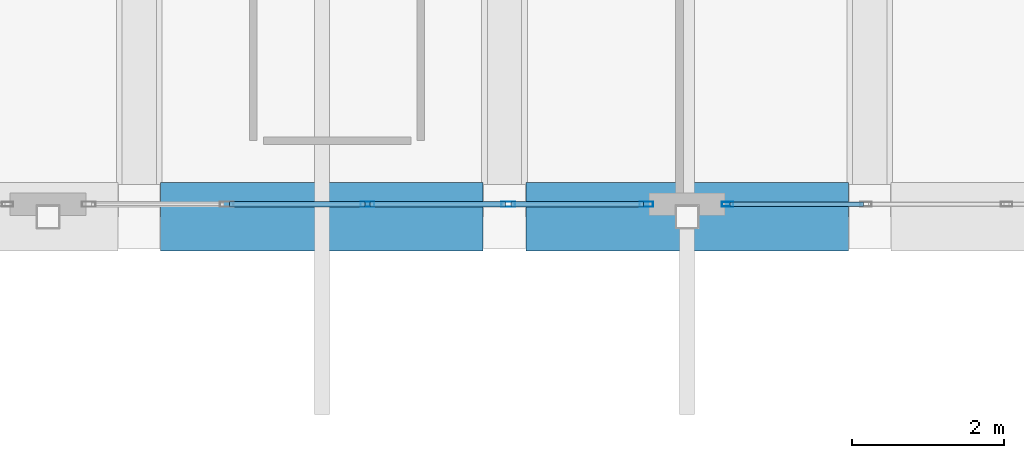
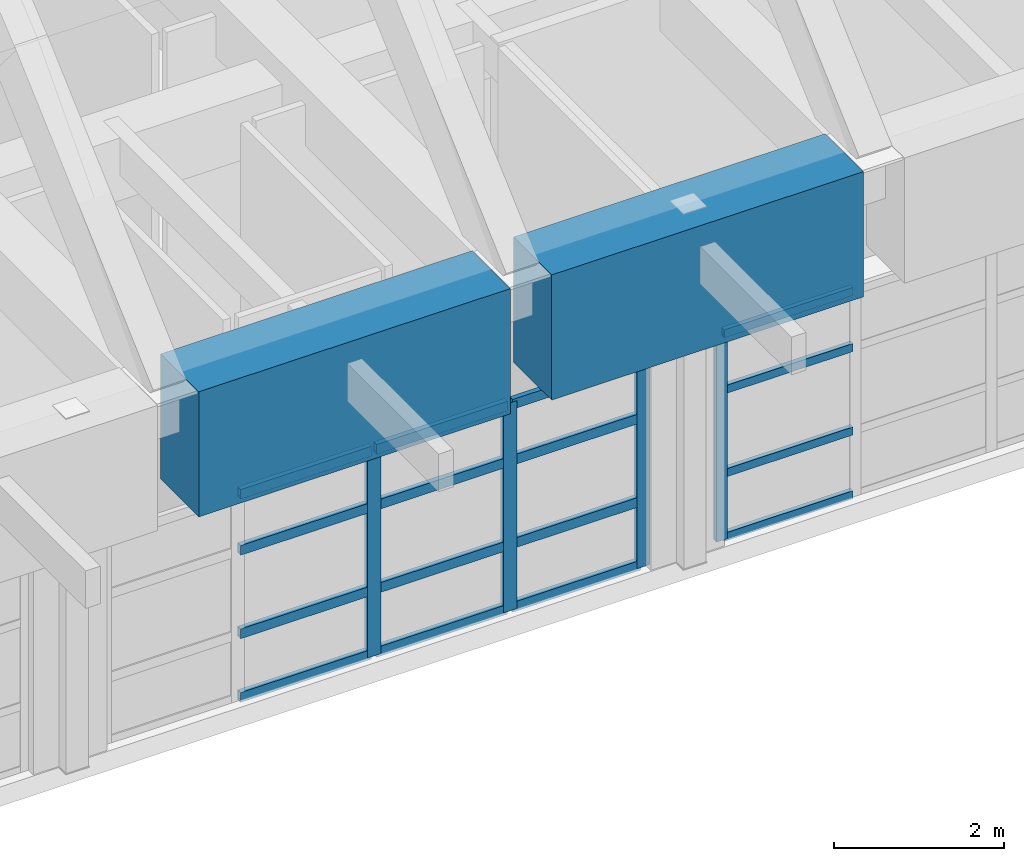
# One storey, part 30 of 78: 20 members, 2 beams, 2 elements without a shape of their own.
"""IFC4 building model written with IfcOpenShell, lengths in metres."""

from ifc_helpers import new_model, si_unit, direction, frame, origin, origin_2d, place, context, subcontext, project, spatial, rectangle, hollow_rectangle, extrude, material, layer, layer_set, material_profile, profile_set, type_object, element, aggregate, save


model = new_model("IFC4")

# Units and contexts
model_context = context("Model", 3, precision=1e-05, world=origin(), true_north=direction((0.0, 1.0)))
body_context = subcontext(model_context, "Body", "Model", "MODEL_VIEW")
ifc_project = project(units=[si_unit("LENGTHUNIT", "METRE"), si_unit("AREAUNIT", "SQUARE_METRE"), si_unit("VOLUMEUNIT", "CUBIC_METRE"), si_unit("PLANEANGLEUNIT", "RADIAN"), si_unit("MASSUNIT", "GRAM", prefix="KILO")], contexts=[model_context])

# Site, building, storey
site_placement = place(None, origin())
site = spatial("IfcSite", under=ifc_project, at=site_placement, CompositionType="ELEMENT")
building_placement = place(site_placement, origin())
building = spatial("IfcBuilding", under=site, at=building_placement, Name="Quendrovan Civic Courthouse", CompositionType="ELEMENT")
storey_placement = place(building_placement, frame((0.0, 0.0, 20.39990234375)))
storey = spatial("IfcBuildingStorey", under=building, at=storey_placement, Name="L05", CompositionType="ELEMENT", Elevation=20.39990234375)

# Beams
ifc_material_1 = material(Name="Concrete C45/55", Category="concrete")
ifc_material_profile_1 = material_profile(ifc_material_1, rectangle(XDim=0.89990234375, YDim=1.800048828125, at=origin_2d()), Name="RC-TG-900x1800")
ifc_profile_set_1 = profile_set([ifc_material_profile_1], Name="Concrete C45/55")
beam_type = type_object("IfcBeamType", Name="BM-TG1800", PredefinedType="BEAM", material=ifc_profile_set_1)
beam_1_placement = place(storey_placement, frame((119.080078125, 87.60009765625, 4.2001953125), z_axis=(1.0, 0.0, 0.0), x_axis=(0.0, 1.0, 0.0)))
element("IfcBeam", 1, at=beam_1_placement, inside=storey, type_object=beam_type, Name="BV1 Springing Collector Girder S-3", PredefinedType="BEAM", context=body_context, shape_type="SweptSolid", body=[
    extrude(rectangle(XDim=0.89990234375, YDim=1.800048828125, at=origin_2d()), origin(), (0.0, 0.0, 1.0), 4.239990234375),
])
beam_2_placement = place(storey_placement, frame((123.8798828125, 87.60009765625, 4.2001953125), z_axis=(1.0, 0.0, 0.0), x_axis=(0.0, 1.0, 0.0)))
element("IfcBeam", 2, at=beam_2_placement, inside=storey, type_object=beam_type, Name="BV1 Springing Collector Girder S-4", PredefinedType="BEAM", context=body_context, shape_type="SweptSolid", body=[
    extrude(rectangle(XDim=0.89990234375, YDim=1.800048828125, at=origin_2d()), origin(), (0.0, 0.0, 1.0), 4.240234375),
])

# Curtain wall, members
ifc_material_2 = material(Name="Bronze anodised aluminium and low-E glass", Category="aluminium")
ifc_layer = layer(ifc_material_2, 0.179931640625, Name="Bronze anodised aluminium and low-E glass")
ifc_layer_set = layer_set([ifc_layer], Name="Bronze anodised aluminium and low-E glass")
curtain_wall_type = type_object("IfcCurtainWallType", Name="CW-U74x30", PredefinedType="USERDEFINED", material=ifc_layer_set)
curtain_wall_1_placement = place(storey_placement, origin())
curtain_wall_1 = element("IfcCurtainWall", 3, at=curtain_wall_1_placement, inside=storey, type_object=curtain_wall_type, Name="L05 Unitised Hurricane Curtain Wall CW-200", ObjectType="UNITISED CURTAIN WALL", PredefinedType="USERDEFINED")
ifc_material_3 = material(Name="Bronze anodised aluminium", Category="aluminium")
ifc_material_profile_2 = material_profile(ifc_material_3, hollow_rectangle(XDim=0.070068359375, YDim=0.179931640625, WallThickness=0.00390625, at=origin_2d()), Name="CW-MULL-70x180")
ifc_profile_set_2 = profile_set([ifc_material_profile_2], Name="Bronze anodised aluminium")
member_type_1 = type_object("IfcMemberType", Name="CW-MULL-A", PredefinedType="MULLION", material=ifc_profile_set_2)
member_1_placement = place(storey_placement, frame((125.465087890625, 87.764892578125, 0.0), z_axis=(0.0, 0.0, 1.0), x_axis=(0.0, -1.0, 0.0)))
member_1 = element("IfcMember", 4, at=member_1_placement, type_object=member_type_1, Name="CW-200 mullion 1", PredefinedType="MULLION", context=body_context, shape_type="SweptSolid", body=[
    extrude(hollow_rectangle(XDim=0.070068359375, YDim=0.179931640625, WallThickness=0.00390625, at=origin_2d()), origin(), (0.0, 0.0, 1.0), 2.989990234375),
])
member_2_placement = place(storey_placement, frame((123.64990234375, 87.764892578125, 0.0), z_axis=(0.0, 0.0, 1.0), x_axis=(0.0, -1.0, 0.0)))
member_2 = element("IfcMember", 5, at=member_2_placement, type_object=member_type_1, Name="CW-200 mullion 2", PredefinedType="MULLION", context=body_context, shape_type="SweptSolid", body=[
    extrude(hollow_rectangle(XDim=0.070068359375, YDim=0.179931640625, WallThickness=0.00390625, at=origin_2d()), origin(), (0.0, 0.0, 1.0), 2.989990234375),
])
member_3_placement = place(storey_placement, frame((121.800048828125, 87.764892578125, 0.0), z_axis=(0.0, 0.0, 1.0), x_axis=(0.0, -1.0, 0.0)))
member_3 = element("IfcMember", 6, at=member_3_placement, type_object=member_type_1, Name="CW-200 mullion 3", PredefinedType="MULLION", context=body_context, shape_type="SweptSolid", body=[
    extrude(hollow_rectangle(XDim=0.070068359375, YDim=0.179931640625, WallThickness=0.00390625, at=origin_2d()), origin(), (0.0, 0.0, 1.0), 2.989990234375),
])

# Curtain wall, member
curtain_wall_2_placement = place(storey_placement, origin())
curtain_wall_2 = element("IfcCurtainWall", 7, at=curtain_wall_2_placement, inside=storey, type_object=curtain_wall_type, Name="L05 Unitised Hurricane Curtain Wall CW-199", ObjectType="UNITISED CURTAIN WALL", PredefinedType="USERDEFINED")
ifc_material_profile_3 = material_profile(ifc_material_3, hollow_rectangle(XDim=0.06494140625, YDim=0.14990234375, WallThickness=0.00390625, at=origin_2d()), Name="CW-MULL-65x150")
ifc_profile_set_3 = profile_set([ifc_material_profile_3], Name="Bronze anodised aluminium")
member_type_2 = type_object("IfcMemberType", Name="CW-MULL-B", PredefinedType="MULLION", material=ifc_profile_set_3)
member_4_placement = place(storey_placement, frame((126.532470703125, 87.764892578125, 0.0), z_axis=(0.0, 0.0, 1.0), x_axis=(0.0, -1.0, 0.0)))
member_4 = element("IfcMember", 8, at=member_4_placement, type_object=member_type_2, Name="CW-199 mullion 5", PredefinedType="MULLION", context=body_context, shape_type="SweptSolid", body=[
    extrude(hollow_rectangle(XDim=0.06494140625, YDim=0.14990234375, WallThickness=0.00390625, at=origin_2d()), origin(), (0.0, 0.0, 1.0), 2.989990234375),
])

# Member
ifc_material_profile_4 = material_profile(ifc_material_3, hollow_rectangle(XDim=0.070068359375, YDim=0.139892578125, WallThickness=0.00390625, at=origin_2d()), Name="CW-TRAN-70x140")
ifc_profile_set_4 = profile_set([ifc_material_profile_4], Name="Bronze anodised aluminium")
member_type_3 = type_object("IfcMemberType", Name="CW-TRAN-A", PredefinedType="USERDEFINED", material=ifc_profile_set_4)
member_5_placement = place(storey_placement, frame((125.429931640625, 87.764892578125, 0.03515625), z_axis=(-1.0, 0.0, 0.0), x_axis=(0.0, -1.0, 0.0)))
member_5 = element("IfcMember", 9, at=member_5_placement, type_object=member_type_3, Name="CW-200 transom 1.1", ObjectType="TRANSOM", PredefinedType="USERDEFINED", context=body_context, shape_type="SweptSolid", body=[
    extrude(hollow_rectangle(XDim=0.070068359375, YDim=0.139892578125, WallThickness=0.00390625, at=origin_2d()), origin(), (0.0, 0.0, 1.0), 1.744873046875),
])

member_6_placement = place(storey_placement, frame((125.429931640625, 87.764892578125, 0.9501953125), z_axis=(-1.0, 0.0, 0.0), x_axis=(0.0, -1.0, 0.0)))
member_6 = element("IfcMember", 10, at=member_6_placement, type_object=member_type_3, Name="CW-200 transom 1.2", ObjectType="TRANSOM", PredefinedType="USERDEFINED", context=body_context, shape_type="SweptSolid", body=[
    extrude(hollow_rectangle(XDim=0.070068359375, YDim=0.139892578125, WallThickness=0.00390625, at=origin_2d()), origin(), (0.0, 0.0, 1.0), 1.744873046875),
])

member_7_placement = place(storey_placement, frame((125.429931640625, 87.764892578125, 2.150146484375), z_axis=(-1.0, 0.0, 0.0), x_axis=(0.0, -1.0, 0.0)))
member_7 = element("IfcMember", 11, at=member_7_placement, type_object=member_type_3, Name="CW-200 transom 1.3", ObjectType="TRANSOM", PredefinedType="USERDEFINED", context=body_context, shape_type="SweptSolid", body=[
    extrude(hollow_rectangle(XDim=0.070068359375, YDim=0.139892578125, WallThickness=0.00390625, at=origin_2d()), origin(), (0.0, 0.0, 1.0), 1.744873046875),
])

member_8_placement = place(storey_placement, frame((125.429931640625, 87.764892578125, 2.955078125), z_axis=(-1.0, 0.0, 0.0), x_axis=(0.0, -1.0, 0.0)))
member_8 = element("IfcMember", 12, at=member_8_placement, type_object=member_type_3, Name="CW-200 transom 1.4", ObjectType="TRANSOM", PredefinedType="USERDEFINED", context=body_context, shape_type="SweptSolid", body=[
    extrude(hollow_rectangle(XDim=0.070068359375, YDim=0.139892578125, WallThickness=0.00390625, at=origin_2d()), origin(), (0.0, 0.0, 1.0), 1.744873046875),
])

member_9_placement = place(storey_placement, frame((123.614990234375, 87.764892578125, 0.03515625), z_axis=(-1.0, 0.0, 0.0), x_axis=(0.0, -1.0, 0.0)))
member_9 = element("IfcMember", 13, at=member_9_placement, type_object=member_type_3, Name="CW-200 transom 2.1", ObjectType="TRANSOM", PredefinedType="USERDEFINED", context=body_context, shape_type="SweptSolid", body=[
    extrude(hollow_rectangle(XDim=0.070068359375, YDim=0.139892578125, WallThickness=0.00390625, at=origin_2d()), origin(), (0.0, 0.0, 1.0), 1.780029296875),
])

member_10_placement = place(storey_placement, frame((123.614990234375, 87.764892578125, 0.9501953125), z_axis=(-1.0, 0.0, 0.0), x_axis=(0.0, -1.0, 0.0)))
member_10 = element("IfcMember", 14, at=member_10_placement, type_object=member_type_3, Name="CW-200 transom 2.2", ObjectType="TRANSOM", PredefinedType="USERDEFINED", context=body_context, shape_type="SweptSolid", body=[
    extrude(hollow_rectangle(XDim=0.070068359375, YDim=0.139892578125, WallThickness=0.00390625, at=origin_2d()), origin(), (0.0, 0.0, 1.0), 1.780029296875),
])

member_11_placement = place(storey_placement, frame((123.614990234375, 87.764892578125, 2.150146484375), z_axis=(-1.0, 0.0, 0.0), x_axis=(0.0, -1.0, 0.0)))
member_11 = element("IfcMember", 15, at=member_11_placement, type_object=member_type_3, Name="CW-200 transom 2.3", ObjectType="TRANSOM", PredefinedType="USERDEFINED", context=body_context, shape_type="SweptSolid", body=[
    extrude(hollow_rectangle(XDim=0.070068359375, YDim=0.139892578125, WallThickness=0.00390625, at=origin_2d()), origin(), (0.0, 0.0, 1.0), 1.780029296875),
])

member_12_placement = place(storey_placement, frame((123.614990234375, 87.764892578125, 2.955078125), z_axis=(-1.0, 0.0, 0.0), x_axis=(0.0, -1.0, 0.0)))
member_12 = element("IfcMember", 16, at=member_12_placement, type_object=member_type_3, Name="CW-200 transom 2.4", ObjectType="TRANSOM", PredefinedType="USERDEFINED", context=body_context, shape_type="SweptSolid", body=[
    extrude(hollow_rectangle(XDim=0.070068359375, YDim=0.139892578125, WallThickness=0.00390625, at=origin_2d()), origin(), (0.0, 0.0, 1.0), 1.780029296875),
])

member_13_placement = place(storey_placement, frame((121.764892578125, 87.764892578125, 0.03515625), z_axis=(-1.0, 0.0, 0.0), x_axis=(0.0, -1.0, 0.0)))
member_13 = element("IfcMember", 17, at=member_13_placement, type_object=member_type_3, Name="CW-200 transom 3.1", ObjectType="TRANSOM", PredefinedType="USERDEFINED", context=body_context, shape_type="SweptSolid", body=[
    extrude(hollow_rectangle(XDim=0.070068359375, YDim=0.139892578125, WallThickness=0.00390625, at=origin_2d()), origin(), (0.0, 0.0, 1.0), 1.77978515625),
])

member_14_placement = place(storey_placement, frame((121.764892578125, 87.764892578125, 0.9501953125), z_axis=(-1.0, 0.0, 0.0), x_axis=(0.0, -1.0, 0.0)))
member_14 = element("IfcMember", 18, at=member_14_placement, type_object=member_type_3, Name="CW-200 transom 3.2", ObjectType="TRANSOM", PredefinedType="USERDEFINED", context=body_context, shape_type="SweptSolid", body=[
    extrude(hollow_rectangle(XDim=0.070068359375, YDim=0.139892578125, WallThickness=0.00390625, at=origin_2d()), origin(), (0.0, 0.0, 1.0), 1.77978515625),
])

member_15_placement = place(storey_placement, frame((121.764892578125, 87.764892578125, 2.150146484375), z_axis=(-1.0, 0.0, 0.0), x_axis=(0.0, -1.0, 0.0)))
member_15 = element("IfcMember", 19, at=member_15_placement, type_object=member_type_3, Name="CW-200 transom 3.3", ObjectType="TRANSOM", PredefinedType="USERDEFINED", context=body_context, shape_type="SweptSolid", body=[
    extrude(hollow_rectangle(XDim=0.070068359375, YDim=0.139892578125, WallThickness=0.00390625, at=origin_2d()), origin(), (0.0, 0.0, 1.0), 1.77978515625),
])

member_16_placement = place(storey_placement, frame((121.764892578125, 87.764892578125, 2.955078125), z_axis=(-1.0, 0.0, 0.0), x_axis=(0.0, -1.0, 0.0)))
member_16 = element("IfcMember", 20, at=member_16_placement, type_object=member_type_3, Name="CW-200 transom 3.4", ObjectType="TRANSOM", PredefinedType="USERDEFINED", context=body_context, shape_type="SweptSolid", body=[
    extrude(hollow_rectangle(XDim=0.070068359375, YDim=0.139892578125, WallThickness=0.00390625, at=origin_2d()), origin(), (0.0, 0.0, 1.0), 1.77978515625),
])

aggregate(curtain_wall_1, [member_1, member_2, member_3, member_5, member_6, member_7, member_8, member_9, member_10, member_11, member_12, member_13, member_14, member_15, member_16])

ifc_material_profile_5 = material_profile(ifc_material_3, hollow_rectangle(XDim=0.06494140625, YDim=0.114990234375, WallThickness=0.00390625, at=origin_2d()), Name="CW-TRAN-65x115")
ifc_profile_set_5 = profile_set([ifc_material_profile_5], Name="Bronze anodised aluminium")
member_type_4 = type_object("IfcMemberType", Name="CW-TRAN-B", PredefinedType="USERDEFINED", material=ifc_profile_set_5)
member_17_placement = place(storey_placement, frame((128.3173828125, 87.764892578125, 0.03271484375), z_axis=(-1.0, 0.0, 0.0), x_axis=(0.0, -1.0, 0.0)))
member_17 = element("IfcMember", 21, at=member_17_placement, type_object=member_type_4, Name="CW-199 transom 4.1", ObjectType="TRANSOM", PredefinedType="USERDEFINED", context=body_context, shape_type="SweptSolid", body=[
    extrude(hollow_rectangle(XDim=0.06494140625, YDim=0.114990234375, WallThickness=0.00390625, at=origin_2d()), origin(), (0.0, 0.0, 1.0), 1.75244140625),
])

member_18_placement = place(storey_placement, frame((128.3173828125, 87.764892578125, 0.9501953125), z_axis=(-1.0, 0.0, 0.0), x_axis=(0.0, -1.0, 0.0)))
member_18 = element("IfcMember", 22, at=member_18_placement, type_object=member_type_4, Name="CW-199 transom 4.2", ObjectType="TRANSOM", PredefinedType="USERDEFINED", context=body_context, shape_type="SweptSolid", body=[
    extrude(hollow_rectangle(XDim=0.06494140625, YDim=0.114990234375, WallThickness=0.00390625, at=origin_2d()), origin(), (0.0, 0.0, 1.0), 1.75244140625),
])

member_19_placement = place(storey_placement, frame((128.3173828125, 87.764892578125, 2.150146484375), z_axis=(-1.0, 0.0, 0.0), x_axis=(0.0, -1.0, 0.0)))
member_19 = element("IfcMember", 23, at=member_19_placement, type_object=member_type_4, Name="CW-199 transom 4.3", ObjectType="TRANSOM", PredefinedType="USERDEFINED", context=body_context, shape_type="SweptSolid", body=[
    extrude(hollow_rectangle(XDim=0.06494140625, YDim=0.114990234375, WallThickness=0.00390625, at=origin_2d()), origin(), (0.0, 0.0, 1.0), 1.75244140625),
])

member_20_placement = place(storey_placement, frame((128.3173828125, 87.764892578125, 2.95751953125), z_axis=(-1.0, 0.0, 0.0), x_axis=(0.0, -1.0, 0.0)))
member_20 = element("IfcMember", 24, at=member_20_placement, type_object=member_type_4, Name="CW-199 transom 4.4", ObjectType="TRANSOM", PredefinedType="USERDEFINED", context=body_context, shape_type="SweptSolid", body=[
    extrude(hollow_rectangle(XDim=0.06494140625, YDim=0.114990234375, WallThickness=0.00390625, at=origin_2d()), origin(), (0.0, 0.0, 1.0), 1.75244140625),
])

aggregate(curtain_wall_2, [member_4, member_17, member_18, member_19, member_20])

save(model, "model.ifc")
